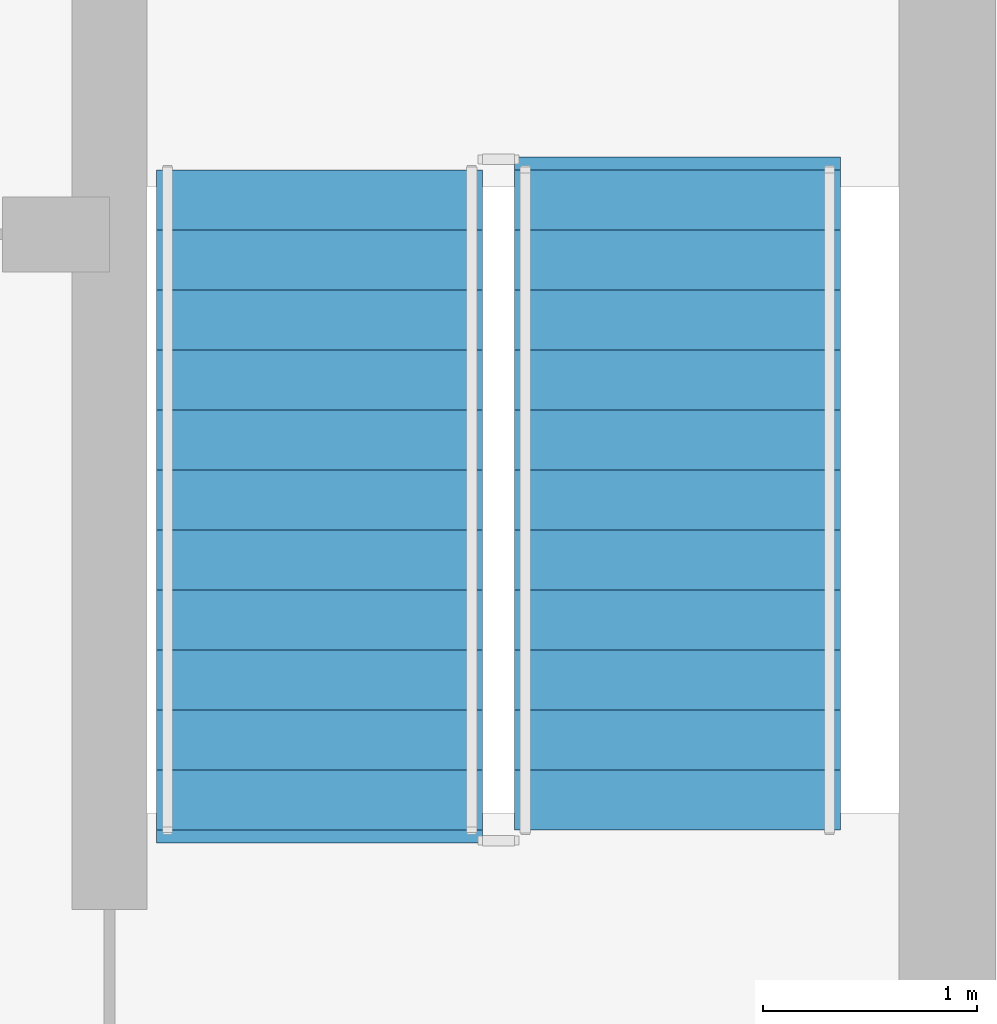
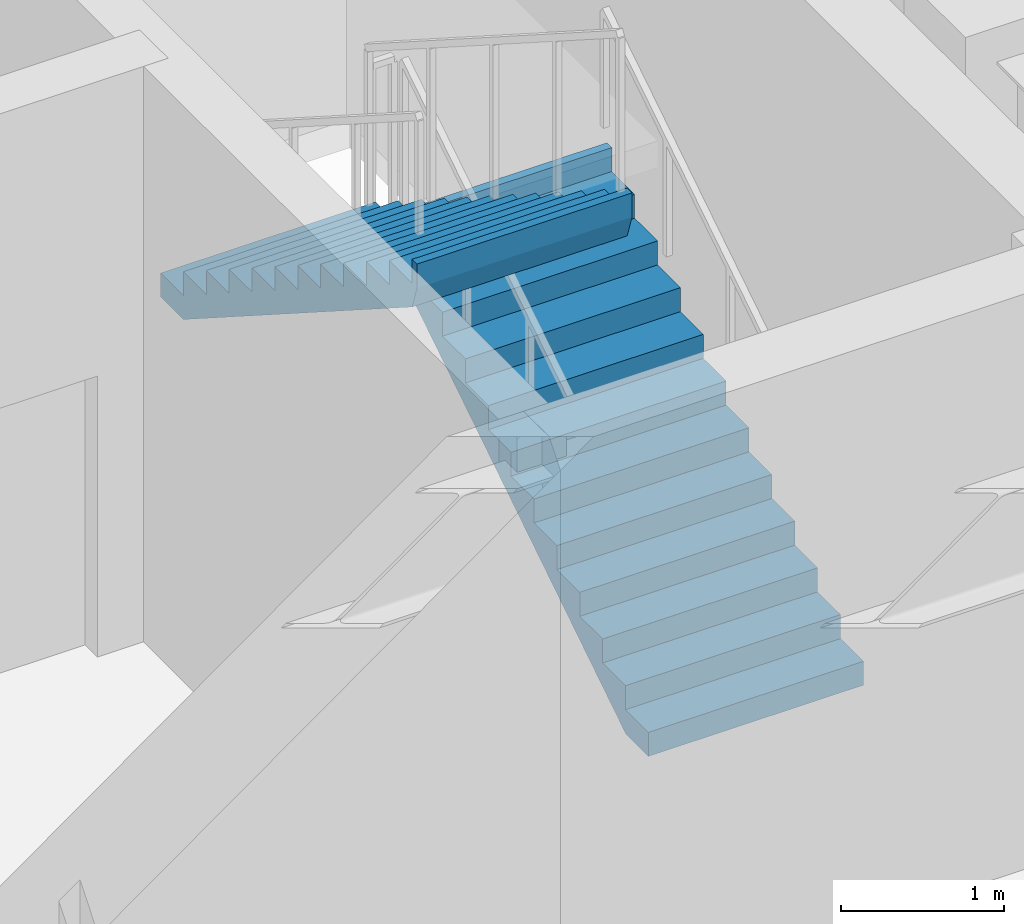
# One storey, part 5 of 7: 2 stair flights, 1 element without a shape of its own.
"""IFC4 building model written with IfcOpenShell, lengths in metres."""

from ifc_helpers import new_model, si_unit, direction, frame, origin, place, context, subcontext, project, spatial, polyline, outline, extrude, material, type_object, element, aggregate, save


model = new_model("IFC4")

# Units and contexts
model_context = context("Model", 3, precision=1e-05, world=origin(), true_north=direction((0.0, 1.0)))
body_context = subcontext(model_context, "Body", "Model", "MODEL_VIEW")
ifc_project = project(units=[si_unit("LENGTHUNIT", "METRE"), si_unit("AREAUNIT", "SQUARE_METRE"), si_unit("VOLUMEUNIT", "CUBIC_METRE"), si_unit("PLANEANGLEUNIT", "RADIAN"), si_unit("MASSUNIT", "GRAM", prefix="KILO")], contexts=[model_context])

# Site, building, storey
site_placement = place(None, origin())
site = spatial("IfcSite", under=ifc_project, at=site_placement, CompositionType="ELEMENT")
building_placement = place(site_placement, origin())
building = spatial("IfcBuilding", under=site, at=building_placement, Name="Orvandelia Arch Residences", CompositionType="ELEMENT")
storey_placement = place(building_placement, frame((0.0, 0.0, 269.89990234375)))
storey = spatial("IfcBuildingStorey", under=building, at=storey_placement, Name="L70", CompositionType="ELEMENT", Elevation=269.89990234375)

# Stair, stair flights
ifc_material = material(Name="Concrete C40/50", Category="concrete")
stair_type = type_object("IfcStairType", Name="STAIR-RC-DOGLEG", PredefinedType="HALF_TURN_STAIR", material=ifc_material)
stair_placement = place(storey_placement, origin())
stair = element("IfcStair", 1, at=stair_placement, inside=storey, type_object=stair_type, Name="L70 Protected Exit Stair ST-2", PredefinedType="HALF_TURN_STAIR")
stair_flight_type = type_object("IfcStairFlightType", Name="STFLT-RC-1520", PredefinedType="STRAIGHT", material=ifc_material)
stair_flight_1_placement = place(storey_placement, frame((21.489990234375, 32.8701171875, 0.0), z_axis=(0.0, 0.0, 1.0), x_axis=(0.0, 1.0, 0.0)))
stair_flight_1 = element("IfcStairFlight", 2, at=stair_flight_1_placement, type_object=stair_flight_type, Name="ST-2 flight 1", NumberOfRisers=12, NumberOfTreads=11, PredefinedType="STRAIGHT", RiserHeight=0.179166667, TreadLength=0.28, context=body_context, shape_type="SweptSolid", body=[
    extrude(outline(polyline([(0.0, 0.0), (0.0, 0.17919921875), (0.280029296875, 0.17919921875), (0.280029296875, 0.3583984375), (0.56005859375, 0.3583984375), (0.56005859375, 0.53759765625), (0.840087890625, 0.53759765625), (0.840087890625, 0.716552734375), (1.1201171875, 0.716552734375), (1.1201171875, 0.895751953125), (1.39990234375, 0.895751953125), (1.39990234375, 1.074951171875), (1.679931640625, 1.074951171875), (1.679931640625, 1.254150390625), (1.9599609375, 1.254150390625), (1.9599609375, 1.433349609375), (2.239990234375, 1.433349609375), (2.239990234375, 1.612548828125), (2.52001953125, 1.612548828125), (2.52001953125, 1.791748046875), (2.800048828125, 1.791748046875), (2.800048828125, 1.970947265625), (3.080078125, 1.970947265625), (3.080078125, 2.14990234375), (3.139892578125, 2.14990234375), (3.139892578125, 1.969970703125), (3.080078125, 1.79296875), (0.278076171875, 0.0), (0.0, 0.0)])), frame((0.0, 0.760009765625, 0.0), z_axis=(0.0, -1.0, 0.0), x_axis=(1.0, 0.0, 0.0)), (0.0, 0.0, 1.0), 1.52001953125),
])
stair_flight_2_placement = place(storey_placement, frame((19.820068359375, 35.949951171875, 2.150146484375), z_axis=(0.0, 0.0, 1.0), x_axis=(0.0, -1.0, 0.0)))
stair_flight_2 = element("IfcStairFlight", 3, at=stair_flight_2_placement, type_object=stair_flight_type, Name="ST-2 flight 2", NumberOfRisers=12, NumberOfTreads=11, PredefinedType="STRAIGHT", RiserHeight=0.179166667, TreadLength=0.28, context=body_context, shape_type="SweptSolid", body=[
    extrude(outline(polyline([(0.0, 0.0), (0.0, 0.17919921875), (0.280029296875, 0.17919921875), (0.280029296875, 0.3583984375), (0.56005859375, 0.3583984375), (0.56005859375, 0.53759765625), (0.840087890625, 0.53759765625), (0.840087890625, 0.716552734375), (1.1201171875, 0.716552734375), (1.1201171875, 0.895751953125), (1.39990234375, 0.895751953125), (1.39990234375, 1.074951171875), (1.679931640625, 1.074951171875), (1.679931640625, 1.254150390625), (1.9599609375, 1.254150390625), (1.9599609375, 1.433349609375), (2.239990234375, 1.433349609375), (2.239990234375, 1.612548828125), (2.52001953125, 1.612548828125), (2.52001953125, 1.791748046875), (2.800048828125, 1.791748046875), (2.800048828125, 1.970947265625), (3.080078125, 1.970947265625), (3.080078125, 2.14990234375), (3.139892578125, 2.14990234375), (3.139892578125, 1.969970703125), (3.080078125, 1.79296875), (0.278076171875, 0.0), (0.0, 0.0)])), frame((0.0, 0.760009765625, 0.0), z_axis=(0.0, -1.0, 0.0), x_axis=(1.0, 0.0, 0.0)), (0.0, 0.0, 1.0), 1.52001953125),
])
aggregate(stair, [stair_flight_1, stair_flight_2])

save(model, "model.ifc")
